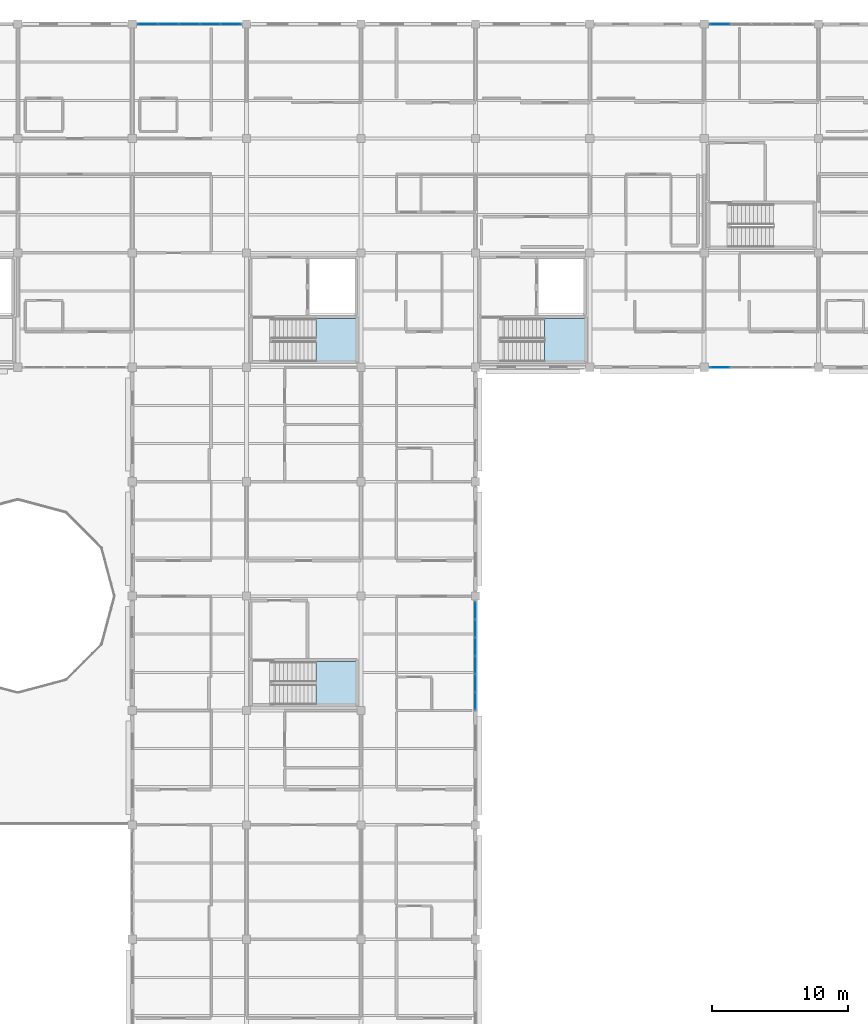
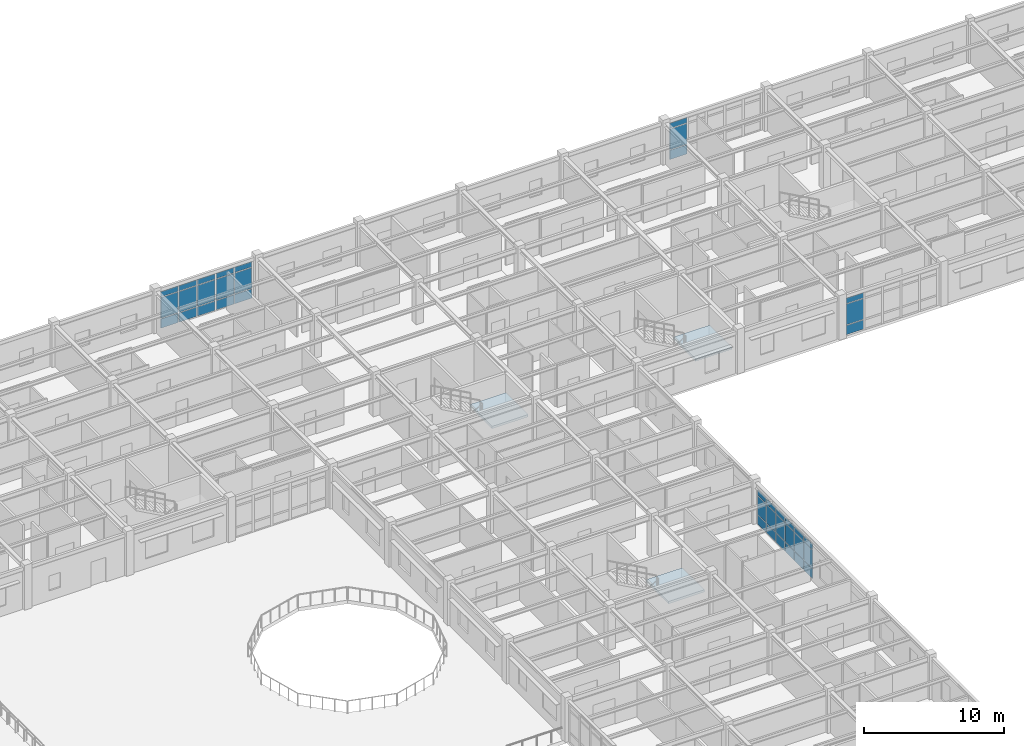
# One storey, part 47 of 86: 39 plates, 3 slabs, 7 elements without a shape of their own.
"""IFC4 building model written with IfcOpenShell, lengths in metres."""

from ifc_helpers import new_model, si_unit, direction, frame, origin, origin_2d, place, context, subcontext, project, spatial, polyline, rectangle, outline, extrude, material, layer, layer_set, type_object, element, aggregate, save


model = new_model("IFC4")

# Units and contexts
model_context = context("Model", 3, precision=1e-05, world=origin(), true_north=direction((0.0, 1.0)))
body_context = subcontext(model_context, "Body", "Model", "MODEL_VIEW")
ifc_project = project(units=[si_unit("LENGTHUNIT", "METRE"), si_unit("AREAUNIT", "SQUARE_METRE"), si_unit("VOLUMEUNIT", "CUBIC_METRE"), si_unit("PLANEANGLEUNIT", "RADIAN"), si_unit("MASSUNIT", "GRAM", prefix="KILO")], contexts=[model_context])

# Site, building, storey
site_placement = place(None, origin())
site = spatial("IfcSite", under=ifc_project, at=site_placement, CompositionType="ELEMENT")
building_placement = place(site_placement, origin())
building = spatial("IfcBuilding", under=site, at=building_placement, Name="Bramfleet General Hospital", CompositionType="ELEMENT")
storey_placement = place(building_placement, frame((0.0, 0.0, 18.60009765625)))
storey = spatial("IfcBuildingStorey", under=building, at=storey_placement, Name="L04", CompositionType="ELEMENT", Elevation=18.60009765625)

# Curtain wall, plates
ifc_material_1 = material(Name="Anodised aluminium and low-E triple glazing", Category="aluminium")
ifc_layer_1 = layer(ifc_material_1, 0.179931640625, Name="CWT-CW-09")
ifc_layer_set_1 = layer_set([ifc_layer_1], Name="Anodised aluminium and low-E triple glazing")
curtain_wall_type_1 = type_object("IfcCurtainWallType", Name="CWT-CW-09", PredefinedType="USERDEFINED", material=ifc_layer_set_1)
curtain_wall_1_placement = place(storey_placement, origin())
curtain_wall_1 = element("IfcCurtainWall", 1, at=curtain_wall_1_placement, inside=storey, type_object=curtain_wall_type_1, Name="L04 Curtain Wall 189", ObjectType="Unitised curtain wall", PredefinedType="USERDEFINED")
ifc_material_2 = material(Name="Low-E laminated safety glass", Category="glass")
ifc_layer_2 = layer(ifc_material_2, 0.028076171875, Name="CWP-GLZ-1")
ifc_layer_set_2 = layer_set([ifc_layer_2], Name="Low-E laminated safety glass")
plate_type_1 = type_object("IfcPlateType", Name="CWP-GLZ-1", PredefinedType="CURTAIN_PANEL", material=ifc_layer_set_2)
plate_1_placement = place(storey_placement, frame((135.5576171875, 117.60009765625, 0.06494140625), z_axis=(0.0, 0.0, 1.0), x_axis=(1.0, 0.0, 0.0)))
plate_1 = element("IfcPlate", 2, at=plate_1_placement, type_object=plate_type_1, Name="CW-09 panel 1.1", PredefinedType="CURTAIN_PANEL", context=body_context, shape_type="SweptSolid", body=[
    extrude(rectangle(XDim=1.425048828125, YDim=0.028076171875, at=origin_2d()), origin(), (0.0, 0.0, 1.0), 0.802490234375),
])
plate_2_placement = place(storey_placement, frame((135.5576171875, 117.60009765625, 0.932373046875), z_axis=(0.0, 0.0, 1.0), x_axis=(1.0, 0.0, 0.0)))
plate_2 = element("IfcPlate", 3, at=plate_2_placement, type_object=plate_type_1, Name="CW-09 panel 1.2", PredefinedType="CURTAIN_PANEL", context=body_context, shape_type="SweptSolid", body=[
    extrude(rectangle(XDim=1.425048828125, YDim=0.028076171875, at=origin_2d()), origin(), (0.0, 0.0, 1.0), 1.794921875),
])
plate_3_placement = place(storey_placement, frame((135.5576171875, 117.60009765625, 2.79248046875), z_axis=(0.0, 0.0, 1.0), x_axis=(1.0, 0.0, 0.0)))
plate_3 = element("IfcPlate", 4, at=plate_3_placement, type_object=plate_type_1, Name="CW-09 panel 1.3", PredefinedType="CURTAIN_PANEL", context=body_context, shape_type="SweptSolid", body=[
    extrude(rectangle(XDim=1.425048828125, YDim=0.028076171875, at=origin_2d()), origin(), (0.0, 0.0, 1.0), 0.452392578125),
])
aggregate(curtain_wall_1, [plate_1, plate_2, plate_3])

ifc_layer_3 = layer(ifc_material_1, 0.179931640625, Name="CWT-CW-11")
ifc_layer_set_3 = layer_set([ifc_layer_3], Name="Anodised aluminium and low-E triple glazing")
curtain_wall_type_2 = type_object("IfcCurtainWallType", Name="CWT-CW-11", PredefinedType="USERDEFINED", material=ifc_layer_set_3)
curtain_wall_2_placement = place(storey_placement, origin())
curtain_wall_2 = element("IfcCurtainWall", 5, at=curtain_wall_2_placement, inside=storey, type_object=curtain_wall_type_2, Name="L04 Curtain Wall 191", ObjectType="Stick curtain wall", PredefinedType="USERDEFINED")
ifc_layer_4 = layer(ifc_material_2, 0.035888671875, Name="CWP-GLZ-3")
ifc_layer_set_4 = layer_set([ifc_layer_4], Name="Low-E laminated safety glass")
plate_type_2 = type_object("IfcPlateType", Name="CWP-GLZ-3", PredefinedType="CURTAIN_PANEL", material=ifc_layer_set_4)
plate_4_placement = place(storey_placement, frame((135.5576171875, 92.39990234375, 0.06494140625), z_axis=(0.0, 0.0, 1.0), x_axis=(-1.0, 0.0, 0.0)))
plate_4 = element("IfcPlate", 6, at=plate_4_placement, type_object=plate_type_2, Name="CW-11 panel 5.1", PredefinedType="CURTAIN_PANEL", context=body_context, shape_type="SweptSolid", body=[
    extrude(rectangle(XDim=1.425048828125, YDim=0.035888671875, at=origin_2d()), origin(), (0.0, 0.0, 1.0), 0.802490234375),
])
plate_5_placement = place(storey_placement, frame((135.5576171875, 92.39990234375, 0.932373046875), z_axis=(0.0, 0.0, 1.0), x_axis=(-1.0, 0.0, 0.0)))
plate_5 = element("IfcPlate", 7, at=plate_5_placement, type_object=plate_type_2, Name="CW-11 panel 5.2", PredefinedType="CURTAIN_PANEL", context=body_context, shape_type="SweptSolid", body=[
    extrude(rectangle(XDim=1.425048828125, YDim=0.035888671875, at=origin_2d()), origin(), (0.0, 0.0, 1.0), 1.794921875),
])
plate_6_placement = place(storey_placement, frame((135.5576171875, 92.39990234375, 2.79248046875), z_axis=(0.0, 0.0, 1.0), x_axis=(-1.0, 0.0, 0.0)))
plate_6 = element("IfcPlate", 8, at=plate_6_placement, type_object=plate_type_2, Name="CW-11 panel 5.3", PredefinedType="CURTAIN_PANEL", context=body_context, shape_type="SweptSolid", body=[
    extrude(rectangle(XDim=1.425048828125, YDim=0.035888671875, at=origin_2d()), origin(), (0.0, 0.0, 1.0), 0.452392578125),
])
aggregate(curtain_wall_2, [plate_4, plate_5, plate_6])

ifc_layer_5 = layer(ifc_material_1, 0.179931640625, Name="CWT-CW-08")
ifc_layer_set_5 = layer_set([ifc_layer_5], Name="Anodised aluminium and low-E triple glazing")
curtain_wall_type_3 = type_object("IfcCurtainWallType", Name="CWT-CW-08", PredefinedType="USERDEFINED", material=ifc_layer_set_5)
curtain_wall_3_placement = place(storey_placement, origin())
curtain_wall_3 = element("IfcCurtainWall", 9, at=curtain_wall_3_placement, inside=storey, type_object=curtain_wall_type_3, Name="L04 Curtain Wall 188", ObjectType="Unitised curtain wall", PredefinedType="USERDEFINED")
ifc_layer_6 = layer(ifc_material_2, 0.0419921875, Name="CWP-GLZ-4")
ifc_layer_set_6 = layer_set([ifc_layer_6], Name="Low-E laminated safety glass")
plate_type_3 = type_object("IfcPlateType", Name="CWP-GLZ-4", PredefinedType="CURTAIN_PANEL", material=ifc_layer_set_6)
plate_7_placement = place(storey_placement, frame((93.5576171875, 117.60009765625, 0.06494140625), z_axis=(0.0, 0.0, 1.0), x_axis=(1.0, 0.0, 0.0)))
plate_7 = element("IfcPlate", 10, at=plate_7_placement, type_object=plate_type_3, Name="CW-08 panel 1.1", PredefinedType="CURTAIN_PANEL", context=body_context, shape_type="SweptSolid", body=[
    extrude(rectangle(XDim=1.425048828125, YDim=0.0419921875, at=origin_2d()), origin(), (0.0, 0.0, 1.0), 0.802490234375),
])
plate_8_placement = place(storey_placement, frame((93.5576171875, 117.60009765625, 0.932373046875), z_axis=(0.0, 0.0, 1.0), x_axis=(1.0, 0.0, 0.0)))
plate_8 = element("IfcPlate", 11, at=plate_8_placement, type_object=plate_type_3, Name="CW-08 panel 1.2", PredefinedType="CURTAIN_PANEL", context=body_context, shape_type="SweptSolid", body=[
    extrude(rectangle(XDim=1.425048828125, YDim=0.0419921875, at=origin_2d()), origin(), (0.0, 0.0, 1.0), 1.794921875),
])
plate_9_placement = place(storey_placement, frame((93.5576171875, 117.60009765625, 2.79248046875), z_axis=(0.0, 0.0, 1.0), x_axis=(1.0, 0.0, 0.0)))
plate_9 = element("IfcPlate", 12, at=plate_9_placement, type_object=plate_type_3, Name="CW-08 panel 1.3", PredefinedType="CURTAIN_PANEL", context=body_context, shape_type="SweptSolid", body=[
    extrude(rectangle(XDim=1.425048828125, YDim=0.0419921875, at=origin_2d()), origin(), (0.0, 0.0, 1.0), 0.452392578125),
])
plate_10_placement = place(storey_placement, frame((95.070068359375, 117.60009765625, 0.06494140625), z_axis=(0.0, 0.0, 1.0), x_axis=(1.0, 0.0, 0.0)))
plate_10 = element("IfcPlate", 13, at=plate_10_placement, type_object=plate_type_3, Name="CW-08 panel 2.1", PredefinedType="CURTAIN_PANEL", context=body_context, shape_type="SweptSolid", body=[
    extrude(rectangle(XDim=1.4599609375, YDim=0.0419921875, at=origin_2d()), origin(), (0.0, 0.0, 1.0), 0.802490234375),
])
plate_11_placement = place(storey_placement, frame((95.070068359375, 117.60009765625, 0.932373046875), z_axis=(0.0, 0.0, 1.0), x_axis=(1.0, 0.0, 0.0)))
plate_11 = element("IfcPlate", 14, at=plate_11_placement, type_object=plate_type_3, Name="CW-08 panel 2.2", PredefinedType="CURTAIN_PANEL", context=body_context, shape_type="SweptSolid", body=[
    extrude(rectangle(XDim=1.4599609375, YDim=0.0419921875, at=origin_2d()), origin(), (0.0, 0.0, 1.0), 1.794921875),
])
plate_12_placement = place(storey_placement, frame((95.070068359375, 117.60009765625, 2.79248046875), z_axis=(0.0, 0.0, 1.0), x_axis=(1.0, 0.0, 0.0)))
plate_12 = element("IfcPlate", 15, at=plate_12_placement, type_object=plate_type_3, Name="CW-08 panel 2.3", PredefinedType="CURTAIN_PANEL", context=body_context, shape_type="SweptSolid", body=[
    extrude(rectangle(XDim=1.4599609375, YDim=0.0419921875, at=origin_2d()), origin(), (0.0, 0.0, 1.0), 0.452392578125),
])
plate_13_placement = place(storey_placement, frame((96.60009765625, 117.60009765625, 0.06494140625), z_axis=(0.0, 0.0, 1.0), x_axis=(1.0, 0.0, 0.0)))
plate_13 = element("IfcPlate", 16, at=plate_13_placement, type_object=plate_type_3, Name="CW-08 panel 3.1", PredefinedType="CURTAIN_PANEL", context=body_context, shape_type="SweptSolid", body=[
    extrude(rectangle(XDim=1.4599609375, YDim=0.0419921875, at=origin_2d()), origin(), (0.0, 0.0, 1.0), 0.802490234375),
])
plate_14_placement = place(storey_placement, frame((96.60009765625, 117.60009765625, 0.932373046875), z_axis=(0.0, 0.0, 1.0), x_axis=(1.0, 0.0, 0.0)))
plate_14 = element("IfcPlate", 17, at=plate_14_placement, type_object=plate_type_3, Name="CW-08 panel 3.2", PredefinedType="CURTAIN_PANEL", context=body_context, shape_type="SweptSolid", body=[
    extrude(rectangle(XDim=1.4599609375, YDim=0.0419921875, at=origin_2d()), origin(), (0.0, 0.0, 1.0), 1.794921875),
])
plate_15_placement = place(storey_placement, frame((96.60009765625, 117.60009765625, 2.79248046875), z_axis=(0.0, 0.0, 1.0), x_axis=(1.0, 0.0, 0.0)))
plate_15 = element("IfcPlate", 18, at=plate_15_placement, type_object=plate_type_3, Name="CW-08 panel 3.3", PredefinedType="CURTAIN_PANEL", context=body_context, shape_type="SweptSolid", body=[
    extrude(rectangle(XDim=1.4599609375, YDim=0.0419921875, at=origin_2d()), origin(), (0.0, 0.0, 1.0), 0.452392578125),
])
plate_16_placement = place(storey_placement, frame((98.1298828125, 117.60009765625, 0.06494140625), z_axis=(0.0, 0.0, 1.0), x_axis=(1.0, 0.0, 0.0)))
plate_16 = element("IfcPlate", 19, at=plate_16_placement, type_object=plate_type_3, Name="CW-08 panel 4.1", PredefinedType="CURTAIN_PANEL", context=body_context, shape_type="SweptSolid", body=[
    extrude(rectangle(XDim=1.4599609375, YDim=0.0419921875, at=origin_2d()), origin(), (0.0, 0.0, 1.0), 0.802490234375),
])
plate_17_placement = place(storey_placement, frame((98.1298828125, 117.60009765625, 0.932373046875), z_axis=(0.0, 0.0, 1.0), x_axis=(1.0, 0.0, 0.0)))
plate_17 = element("IfcPlate", 20, at=plate_17_placement, type_object=plate_type_3, Name="CW-08 panel 4.2", PredefinedType="CURTAIN_PANEL", context=body_context, shape_type="SweptSolid", body=[
    extrude(rectangle(XDim=1.4599609375, YDim=0.0419921875, at=origin_2d()), origin(), (0.0, 0.0, 1.0), 1.794921875),
])
plate_18_placement = place(storey_placement, frame((98.1298828125, 117.60009765625, 2.79248046875), z_axis=(0.0, 0.0, 1.0), x_axis=(1.0, 0.0, 0.0)))
plate_18 = element("IfcPlate", 21, at=plate_18_placement, type_object=plate_type_3, Name="CW-08 panel 4.3", PredefinedType="CURTAIN_PANEL", context=body_context, shape_type="SweptSolid", body=[
    extrude(rectangle(XDim=1.4599609375, YDim=0.0419921875, at=origin_2d()), origin(), (0.0, 0.0, 1.0), 0.452392578125),
])
plate_19_placement = place(storey_placement, frame((99.642578125, 117.60009765625, 0.06494140625), z_axis=(0.0, 0.0, 1.0), x_axis=(1.0, 0.0, 0.0)))
plate_19 = element("IfcPlate", 22, at=plate_19_placement, type_object=plate_type_3, Name="CW-08 panel 5.1", PredefinedType="CURTAIN_PANEL", context=body_context, shape_type="SweptSolid", body=[
    extrude(rectangle(XDim=1.425048828125, YDim=0.0419921875, at=origin_2d()), origin(), (0.0, 0.0, 1.0), 0.802490234375),
])
plate_20_placement = place(storey_placement, frame((99.642578125, 117.60009765625, 0.932373046875), z_axis=(0.0, 0.0, 1.0), x_axis=(1.0, 0.0, 0.0)))
plate_20 = element("IfcPlate", 23, at=plate_20_placement, type_object=plate_type_3, Name="CW-08 panel 5.2", PredefinedType="CURTAIN_PANEL", context=body_context, shape_type="SweptSolid", body=[
    extrude(rectangle(XDim=1.425048828125, YDim=0.0419921875, at=origin_2d()), origin(), (0.0, 0.0, 1.0), 1.794921875),
])
plate_21_placement = place(storey_placement, frame((99.642578125, 117.60009765625, 2.79248046875), z_axis=(0.0, 0.0, 1.0), x_axis=(1.0, 0.0, 0.0)))
plate_21 = element("IfcPlate", 24, at=plate_21_placement, type_object=plate_type_3, Name="CW-08 panel 5.3", PredefinedType="CURTAIN_PANEL", context=body_context, shape_type="SweptSolid", body=[
    extrude(rectangle(XDim=1.425048828125, YDim=0.0419921875, at=origin_2d()), origin(), (0.0, 0.0, 1.0), 0.452392578125),
])
aggregate(curtain_wall_3, [plate_7, plate_8, plate_9, plate_10, plate_11, plate_12, plate_13, plate_14, plate_15, plate_16, plate_17, plate_18, plate_19, plate_20, plate_21])

ifc_layer_7 = layer(ifc_material_1, 0.179931640625, Name="CWT-CW-12")
ifc_layer_set_7 = layer_set([ifc_layer_7], Name="Anodised aluminium and low-E triple glazing")
curtain_wall_type_4 = type_object("IfcCurtainWallType", Name="CWT-CW-12", PredefinedType="USERDEFINED", material=ifc_layer_set_7)
curtain_wall_4_placement = place(storey_placement, origin())
curtain_wall_4 = element("IfcCurtainWall", 25, at=curtain_wall_4_placement, inside=storey, type_object=curtain_wall_type_4, Name="L04 Curtain Wall 192", ObjectType="Stick curtain wall", PredefinedType="USERDEFINED")
plate_22_placement = place(storey_placement, frame((117.60009765625, 74.538818359375, 0.06494140625), z_axis=(0.0, 0.0, 1.0), x_axis=(0.0, -1.0, 0.0)))
plate_22 = element("IfcPlate", 26, at=plate_22_placement, type_object=plate_type_3, Name="CW-12 panel 1.1", PredefinedType="CURTAIN_PANEL", context=body_context, shape_type="SweptSolid", body=[
    extrude(rectangle(XDim=1.232421875, YDim=0.0419921875, at=origin_2d()), origin(), (0.0, 0.0, 1.0), 0.802490234375),
])
plate_23_placement = place(storey_placement, frame((117.60009765625, 74.538818359375, 0.9326171875), z_axis=(0.0, 0.0, 1.0), x_axis=(0.0, -1.0, 0.0)))
plate_23 = element("IfcPlate", 27, at=plate_23_placement, type_object=plate_type_3, Name="CW-12 panel 1.2", PredefinedType="CURTAIN_PANEL", context=body_context, shape_type="SweptSolid", body=[
    extrude(rectangle(XDim=1.232421875, YDim=0.0419921875, at=origin_2d()), origin(), (0.0, 0.0, 1.0), 1.594970703125),
])
plate_24_placement = place(storey_placement, frame((117.60009765625, 74.538818359375, 2.59228515625), z_axis=(0.0, 0.0, 1.0), x_axis=(0.0, -1.0, 0.0)))
plate_24 = element("IfcPlate", 28, at=plate_24_placement, type_object=plate_type_3, Name="CW-12 panel 1.3", PredefinedType="CURTAIN_PANEL", context=body_context, shape_type="SweptSolid", body=[
    extrude(rectangle(XDim=1.232421875, YDim=0.0419921875, at=origin_2d()), origin(), (0.0, 0.0, 1.0), 0.452392578125),
])
plate_25_placement = place(storey_placement, frame((117.60009765625, 73.21875, 0.06494140625), z_axis=(0.0, 0.0, 1.0), x_axis=(0.0, -1.0, 0.0)))
plate_25 = element("IfcPlate", 29, at=plate_25_placement, type_object=plate_type_3, Name="CW-12 panel 2.1", PredefinedType="CURTAIN_PANEL", context=body_context, shape_type="SweptSolid", body=[
    extrude(rectangle(XDim=1.267578125, YDim=0.0419921875, at=origin_2d()), origin(), (0.0, 0.0, 1.0), 0.802490234375),
])
plate_26_placement = place(storey_placement, frame((117.60009765625, 73.21875, 0.9326171875), z_axis=(0.0, 0.0, 1.0), x_axis=(0.0, -1.0, 0.0)))
plate_26 = element("IfcPlate", 30, at=plate_26_placement, type_object=plate_type_3, Name="CW-12 panel 2.2", PredefinedType="CURTAIN_PANEL", context=body_context, shape_type="SweptSolid", body=[
    extrude(rectangle(XDim=1.267578125, YDim=0.0419921875, at=origin_2d()), origin(), (0.0, 0.0, 1.0), 1.594970703125),
])
plate_27_placement = place(storey_placement, frame((117.60009765625, 73.21875, 2.59228515625), z_axis=(0.0, 0.0, 1.0), x_axis=(0.0, -1.0, 0.0)))
plate_27 = element("IfcPlate", 31, at=plate_27_placement, type_object=plate_type_3, Name="CW-12 panel 2.3", PredefinedType="CURTAIN_PANEL", context=body_context, shape_type="SweptSolid", body=[
    extrude(rectangle(XDim=1.267578125, YDim=0.0419921875, at=origin_2d()), origin(), (0.0, 0.0, 1.0), 0.452392578125),
])
plate_28_placement = place(storey_placement, frame((117.60009765625, 71.88134765625, 0.06494140625), z_axis=(0.0, 0.0, 1.0), x_axis=(0.0, -1.0, 0.0)))
plate_28 = element("IfcPlate", 32, at=plate_28_placement, type_object=plate_type_3, Name="CW-12 panel 3.1", PredefinedType="CURTAIN_PANEL", context=body_context, shape_type="SweptSolid", body=[
    extrude(rectangle(XDim=1.267578125, YDim=0.0419921875, at=origin_2d()), origin(), (0.0, 0.0, 1.0), 0.802490234375),
])
plate_29_placement = place(storey_placement, frame((117.60009765625, 71.88134765625, 0.9326171875), z_axis=(0.0, 0.0, 1.0), x_axis=(0.0, -1.0, 0.0)))
plate_29 = element("IfcPlate", 33, at=plate_29_placement, type_object=plate_type_3, Name="CW-12 panel 3.2", PredefinedType="CURTAIN_PANEL", context=body_context, shape_type="SweptSolid", body=[
    extrude(rectangle(XDim=1.267578125, YDim=0.0419921875, at=origin_2d()), origin(), (0.0, 0.0, 1.0), 1.594970703125),
])
plate_30_placement = place(storey_placement, frame((117.60009765625, 71.88134765625, 2.59228515625), z_axis=(0.0, 0.0, 1.0), x_axis=(0.0, -1.0, 0.0)))
plate_30 = element("IfcPlate", 34, at=plate_30_placement, type_object=plate_type_3, Name="CW-12 panel 3.3", PredefinedType="CURTAIN_PANEL", context=body_context, shape_type="SweptSolid", body=[
    extrude(rectangle(XDim=1.267578125, YDim=0.0419921875, at=origin_2d()), origin(), (0.0, 0.0, 1.0), 0.452392578125),
])
plate_31_placement = place(storey_placement, frame((117.60009765625, 70.543701171875, 0.06494140625), z_axis=(0.0, 0.0, 1.0), x_axis=(0.0, -1.0, 0.0)))
plate_31 = element("IfcPlate", 35, at=plate_31_placement, type_object=plate_type_3, Name="CW-12 panel 4.1", PredefinedType="CURTAIN_PANEL", context=body_context, shape_type="SweptSolid", body=[
    extrude(rectangle(XDim=1.267578125, YDim=0.0419921875, at=origin_2d()), origin(), (0.0, 0.0, 1.0), 0.802490234375),
])
plate_32_placement = place(storey_placement, frame((117.60009765625, 70.543701171875, 0.9326171875), z_axis=(0.0, 0.0, 1.0), x_axis=(0.0, -1.0, 0.0)))
plate_32 = element("IfcPlate", 36, at=plate_32_placement, type_object=plate_type_3, Name="CW-12 panel 4.2", PredefinedType="CURTAIN_PANEL", context=body_context, shape_type="SweptSolid", body=[
    extrude(rectangle(XDim=1.267578125, YDim=0.0419921875, at=origin_2d()), origin(), (0.0, 0.0, 1.0), 1.594970703125),
])
plate_33_placement = place(storey_placement, frame((117.60009765625, 70.543701171875, 2.59228515625), z_axis=(0.0, 0.0, 1.0), x_axis=(0.0, -1.0, 0.0)))
plate_33 = element("IfcPlate", 37, at=plate_33_placement, type_object=plate_type_3, Name="CW-12 panel 4.3", PredefinedType="CURTAIN_PANEL", context=body_context, shape_type="SweptSolid", body=[
    extrude(rectangle(XDim=1.267578125, YDim=0.0419921875, at=origin_2d()), origin(), (0.0, 0.0, 1.0), 0.452392578125),
])
plate_34_placement = place(storey_placement, frame((117.60009765625, 69.206298828125, 0.06494140625), z_axis=(0.0, 0.0, 1.0), x_axis=(0.0, -1.0, 0.0)))
plate_34 = element("IfcPlate", 38, at=plate_34_placement, type_object=plate_type_3, Name="CW-12 panel 5.1", PredefinedType="CURTAIN_PANEL", context=body_context, shape_type="SweptSolid", body=[
    extrude(rectangle(XDim=1.267578125, YDim=0.0419921875, at=origin_2d()), origin(), (0.0, 0.0, 1.0), 0.802490234375),
])
plate_35_placement = place(storey_placement, frame((117.60009765625, 69.206298828125, 0.9326171875), z_axis=(0.0, 0.0, 1.0), x_axis=(0.0, -1.0, 0.0)))
plate_35 = element("IfcPlate", 39, at=plate_35_placement, type_object=plate_type_3, Name="CW-12 panel 5.2", PredefinedType="CURTAIN_PANEL", context=body_context, shape_type="SweptSolid", body=[
    extrude(rectangle(XDim=1.267578125, YDim=0.0419921875, at=origin_2d()), origin(), (0.0, 0.0, 1.0), 1.594970703125),
])
plate_36_placement = place(storey_placement, frame((117.60009765625, 69.206298828125, 2.59228515625), z_axis=(0.0, 0.0, 1.0), x_axis=(0.0, -1.0, 0.0)))
plate_36 = element("IfcPlate", 40, at=plate_36_placement, type_object=plate_type_3, Name="CW-12 panel 5.3", PredefinedType="CURTAIN_PANEL", context=body_context, shape_type="SweptSolid", body=[
    extrude(rectangle(XDim=1.267578125, YDim=0.0419921875, at=origin_2d()), origin(), (0.0, 0.0, 1.0), 0.452392578125),
])
plate_37_placement = place(storey_placement, frame((117.60009765625, 67.88623046875, 0.06494140625), z_axis=(0.0, 0.0, 1.0), x_axis=(0.0, -1.0, 0.0)))
plate_37 = element("IfcPlate", 41, at=plate_37_placement, type_object=plate_type_3, Name="CW-12 panel 6.1", PredefinedType="CURTAIN_PANEL", context=body_context, shape_type="SweptSolid", body=[
    extrude(rectangle(XDim=1.232421875, YDim=0.0419921875, at=origin_2d()), origin(), (0.0, 0.0, 1.0), 0.802490234375),
])
plate_38_placement = place(storey_placement, frame((117.60009765625, 67.88623046875, 0.9326171875), z_axis=(0.0, 0.0, 1.0), x_axis=(0.0, -1.0, 0.0)))
plate_38 = element("IfcPlate", 42, at=plate_38_placement, type_object=plate_type_3, Name="CW-12 panel 6.2", PredefinedType="CURTAIN_PANEL", context=body_context, shape_type="SweptSolid", body=[
    extrude(rectangle(XDim=1.232421875, YDim=0.0419921875, at=origin_2d()), origin(), (0.0, 0.0, 1.0), 1.594970703125),
])
plate_39_placement = place(storey_placement, frame((117.60009765625, 67.88623046875, 2.59228515625), z_axis=(0.0, 0.0, 1.0), x_axis=(0.0, -1.0, 0.0)))
plate_39 = element("IfcPlate", 43, at=plate_39_placement, type_object=plate_type_3, Name="CW-12 panel 6.3", PredefinedType="CURTAIN_PANEL", context=body_context, shape_type="SweptSolid", body=[
    extrude(rectangle(XDim=1.232421875, YDim=0.0419921875, at=origin_2d()), origin(), (0.0, 0.0, 1.0), 0.452392578125),
])
aggregate(curtain_wall_4, [plate_22, plate_23, plate_24, plate_25, plate_26, plate_27, plate_28, plate_29, plate_30, plate_31, plate_32, plate_33, plate_34, plate_35, plate_36, plate_37, plate_38, plate_39])

# Stair, slab
ifc_material_3 = material(Name="Concrete C35/45", Category="concrete")
stair_type = type_object("IfcStairType", Name="STR-T4", PredefinedType="HALF_TURN_STAIR", material=ifc_material_3)
stair_1_placement = place(storey_placement, origin())
stair_1 = element("IfcStair", 44, at=stair_1_placement, inside=storey, type_object=stair_type, Name="L04 Core C4 (Central Spine & Helipad Trauma) Protected Escape Stair", PredefinedType="HALF_TURN_STAIR")
ifc_layer_8 = layer(ifc_material_3, 0.199951171875, Name="SL-LND-200")
ifc_layer_set_8 = layer_set([ifc_layer_8], Name="Concrete C35/45")
slab_type = type_object("IfcSlabType", Name="SL-LND-200", PredefinedType="LANDING", material=ifc_layer_set_8)
slab_1_placement = place(storey_placement, frame((0.0, 0.0, 1.75)))
slab_1 = element("IfcSlab", 45, at=slab_1_placement, type_object=slab_type, Name="ST-C4 landing 1", PredefinedType="LANDING", context=body_context, shape_type="SweptSolid", body=[
    extrude(outline(polyline([(105.885009765625, 92.820068359375), (108.860107421875, 92.820068359375), (108.860107421875, 95.97998046875), (105.885009765625, 95.97998046875), (105.885009765625, 92.820068359375)])), origin(), (0.0, 0.0, 1.0), 0.199951171875),
])
aggregate(stair_1, [slab_1])

stair_2_placement = place(storey_placement, origin())
stair_2 = element("IfcStair", 46, at=stair_2_placement, inside=storey, type_object=stair_type, Name="L04 Core C6 (North-East Ward & Helipad) Protected Escape Stair", PredefinedType="HALF_TURN_STAIR")
slab_2_placement = place(storey_placement, frame((0.0, 0.0, 1.75)))
slab_2 = element("IfcSlab", 47, at=slab_2_placement, type_object=slab_type, Name="ST-C6 landing 1", PredefinedType="LANDING", context=body_context, shape_type="SweptSolid", body=[
    extrude(outline(polyline([(122.68505859375, 92.820068359375), (125.659912109375, 92.820068359375), (125.659912109375, 95.97998046875), (122.68505859375, 95.97998046875), (122.68505859375, 92.820068359375)])), origin(), (0.0, 0.0, 1.0), 0.199951171875),
])
aggregate(stair_2, [slab_2])

stair_3_placement = place(storey_placement, origin())
stair_3 = element("IfcStair", 48, at=stair_3_placement, inside=storey, type_object=stair_type, Name="L04 Core C11 (Central Spine Escape) Protected Escape Stair", PredefinedType="HALF_TURN_STAIR")
slab_3_placement = place(storey_placement, frame((0.0, 0.0, 1.75)))
slab_3 = element("IfcSlab", 49, at=slab_3_placement, type_object=slab_type, Name="ST-C11 landing 1", PredefinedType="LANDING", context=body_context, shape_type="SweptSolid", body=[
    extrude(outline(polyline([(105.885009765625, 67.6201171875), (108.860107421875, 67.6201171875), (108.860107421875, 70.780029296875), (105.885009765625, 70.780029296875), (105.885009765625, 67.6201171875)])), origin(), (0.0, 0.0, 1.0), 0.199951171875),
])
aggregate(stair_3, [slab_3])

save(model, "model.ifc")
